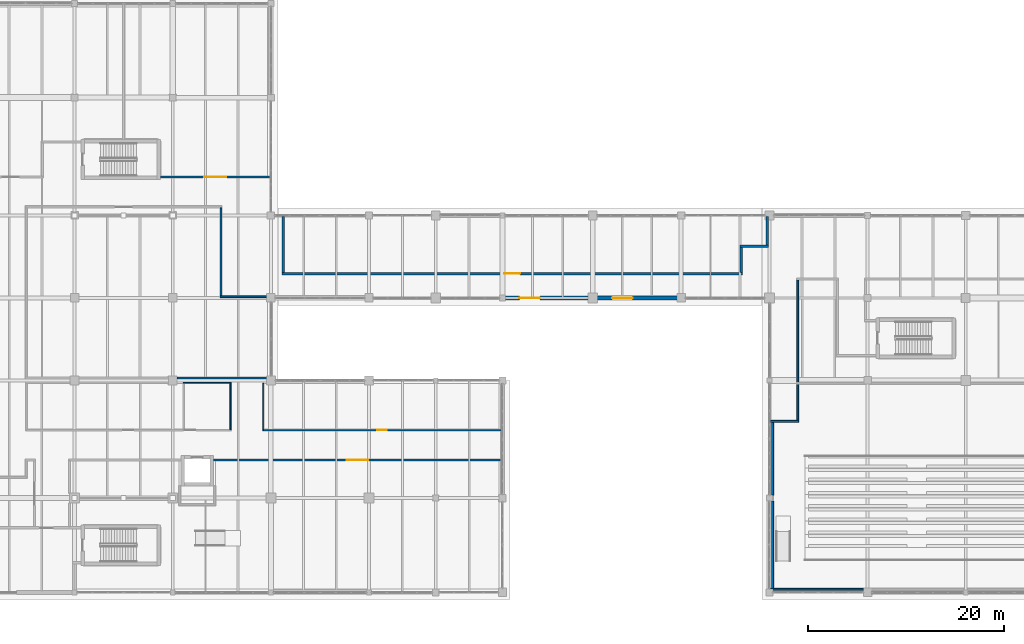
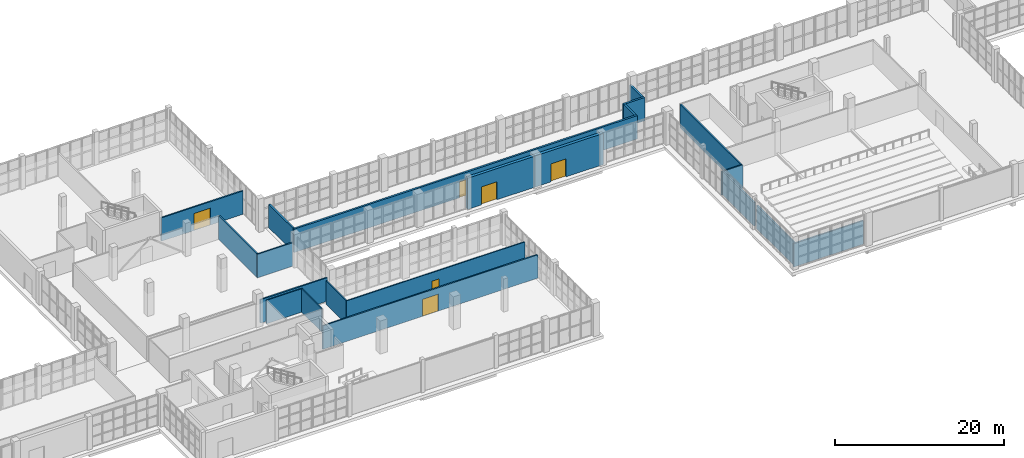
# One storey, part 103 of 121: 21 walls, 6 doors, 6 openings.
"""IFC4 building model written with IfcOpenShell, lengths in metres."""

from ifc_helpers import new_model, si_unit, direction, frame, frame_2d, origin, place, context, subcontext, project, spatial, rectangle, extrude, material, layer, layer_set, type_object, element, fill, save


model = new_model("IFC4")

# Units and contexts
model_context = context("Model", 3, precision=1e-05, world=origin(), true_north=direction((0.0, 1.0)))
body_context = subcontext(model_context, "Body", "Model", "MODEL_VIEW")
ifc_project = project(units=[si_unit("LENGTHUNIT", "METRE"), si_unit("AREAUNIT", "SQUARE_METRE"), si_unit("VOLUMEUNIT", "CUBIC_METRE"), si_unit("PLANEANGLEUNIT", "RADIAN"), si_unit("MASSUNIT", "GRAM", prefix="KILO")], contexts=[model_context])

# Site, building, storey
site_placement = place(None, origin())
site = spatial("IfcSite", under=ifc_project, at=site_placement, CompositionType="ELEMENT")
building_placement = place(site_placement, origin())
building = spatial("IfcBuilding", under=site, at=building_placement, Name="Zereglee Splitstone Museum", CompositionType="ELEMENT")
storey_placement = place(building_placement, origin())
storey = spatial("IfcBuildingStorey", under=building, at=storey_placement, Name="L00", CompositionType="ELEMENT", Elevation=0.0)

# Wall, opening, door
ifc_material_1 = material(Name="Concrete C40/50", Category="concrete")
ifc_layer_1 = layer(ifc_material_1, 0.39990234375)
ifc_layer_set_1 = layer_set([ifc_layer_1], Name="Concrete C40/50")
wall_type_1 = type_object("IfcWallType", Name="EW-02", PredefinedType="STANDARD", material=ifc_layer_set_1)
wall_1_placement = place(storey_placement, frame((228.6201171875, 30.0, 0.0), z_axis=(0.0, 0.0, 1.0), x_axis=(1.0, 0.0, 0.0)))
wall_1 = element("IfcWall", 1, at=wall_1_placement, inside=storey, type_object=wall_type_1, Name="Exterior Backup Wall RC4-EW-L00-0002", PredefinedType="STANDARD", context=body_context, shape_type="SweptSolid", body=[
    extrude(rectangle(XDim=9.559814453125, YDim=0.39990234375, at=frame_2d((4.77978515625, 0.0))), origin(), (0.0, 0.0, 1.0), 4.5),
])
opening_1_placement = place(wall_1_placement, frame((1.89990234375, 0.0, 0.0)))
opening_1 = element("IfcOpeningElement", 2, at=opening_1_placement, cuts=wall_1, Name="Opening ED-02", PredefinedType="OPENING", context=body_context, shape_type="SweptSolid", body=[
    extrude(rectangle(XDim=2.10009765625, YDim=2.60009765625, at=frame_2d((1.050048828125, 1.300048828125))), frame((0.0, 0.21484375, 0.0), z_axis=(0.0, -1.0, 0.0), x_axis=(1.0, 0.0, 0.0)), (0.0, 0.0, 1.0), 0.4296875),
])
ifc_material_2 = material(Name="Anodised bronze-clad thermally broken aluminium", Category="aluminium")
door_type_1 = type_object("IfcDoorType", Name="ED-02", OperationType="DOUBLE_DOOR_SINGLE_SWING", PredefinedType="DOOR", material=ifc_material_2)
door_1_placement = place(opening_1_placement, frame((2.10009765625, 0.0, 0.0), z_axis=(0.0, 0.0, 1.0), x_axis=(-1.0, 0.0, 0.0)))
door_1 = element("IfcDoor", 3, at=door_1_placement, inside=storey, type_object=door_type_1, Name="Ground Protected Exit Door ED-L00-02", OperationType="DOUBLE_DOOR_SINGLE_SWING", OverallHeight=2.60009765625, OverallWidth=2.10009765625, PredefinedType="DOOR", context=body_context, shape_type="SweptSolid", body=[
    extrude(rectangle(XDim=2.10009765625, YDim=2.60009765625, at=frame_2d((1.050048828125, 1.300048828125))), frame((0.0, 0.02490234375, 0.0), z_axis=(0.0, -1.0, 0.0), x_axis=(1.0, 0.0, 0.0)), (0.0, 0.0, 1.0), 0.050048828125),
])
fill(opening_1, door_1)

wall_2_placement = place(storey_placement, frame((237.820068359375, 30.0, 0.0), z_axis=(0.0, 0.0, 1.0), x_axis=(1.0, 0.0, 0.0)))
wall_2 = element("IfcWall", 4, at=wall_2_placement, inside=storey, type_object=wall_type_1, Name="Exterior Backup Wall RC4-EW-L00-0003", PredefinedType="STANDARD", context=body_context, shape_type="SweptSolid", body=[
    extrude(rectangle(XDim=9.35986328125, YDim=0.39990234375, at=frame_2d((4.679931640625, 0.0))), origin(), (0.0, 0.0, 1.0), 4.5),
])
opening_2_placement = place(wall_2_placement, frame((2.14990234375, 0.0, 0.0)))
opening_2 = element("IfcOpeningElement", 5, at=opening_2_placement, cuts=wall_2, Name="Opening ED-02", PredefinedType="OPENING", context=body_context, shape_type="SweptSolid", body=[
    extrude(rectangle(XDim=2.10009765625, YDim=2.60009765625, at=frame_2d((1.050048828125, 1.300048828125))), frame((0.0, 0.21484375, 0.0), z_axis=(0.0, -1.0, 0.0), x_axis=(1.0, 0.0, 0.0)), (0.0, 0.0, 1.0), 0.4296875),
])
door_2_placement = place(opening_2_placement, frame((2.10009765625, 0.0, 0.0), z_axis=(0.0, 0.0, 1.0), x_axis=(-1.0, 0.0, 0.0)))
door_2 = element("IfcDoor", 6, at=door_2_placement, inside=storey, type_object=door_type_1, Name="Ground Protected Exit Door ED-L00-03", OperationType="DOUBLE_DOOR_SINGLE_SWING", OverallHeight=2.60009765625, OverallWidth=2.10009765625, PredefinedType="DOOR", context=body_context, shape_type="SweptSolid", body=[
    extrude(rectangle(XDim=2.10009765625, YDim=2.60009765625, at=frame_2d((1.050048828125, 1.300048828125))), frame((0.0, 0.02490234375, 0.0), z_axis=(0.0, -1.0, 0.0), x_axis=(1.0, 0.0, 0.0)), (0.0, 0.0, 1.0), 0.050048828125),
])
fill(opening_2, door_2)

ifc_layer_2 = layer(ifc_material_1, 0.25)
ifc_layer_set_2 = layer_set([ifc_layer_2], Name="Concrete C40/50")
wall_type_2 = type_object("IfcWallType", Name="IW-03", PredefinedType="PARTITIONING", material=ifc_layer_set_2)
wall_3_placement = place(storey_placement, frame((206.35498046875, 32.47998046875, 0.0), z_axis=(0.0, 0.0, 1.0), x_axis=(1.0, 0.0, 0.0)))
wall_3 = element("IfcWall", 7, at=wall_3_placement, inside=storey, type_object=wall_type_2, Name="Interior Partition L00-0207 (Conservation Crate Staging Room)", PredefinedType="PARTITIONING", context=body_context, shape_type="SweptSolid", body=[
    extrude(rectangle(XDim=46.89013671875, YDim=0.25, at=frame_2d((23.445068359375, 0.0))), origin(), (0.0, 0.0, 1.0), 3.3798828125),
])
opening_3_placement = place(wall_3_placement, frame((22.64501953125, 0.0, 0.0)))
opening_3 = element("IfcOpeningElement", 8, at=opening_3_placement, cuts=wall_3, Name="Opening ID-05", PredefinedType="OPENING", context=body_context, shape_type="SweptSolid", body=[
    extrude(rectangle(XDim=1.60009765625, YDim=2.300048828125, at=frame_2d((0.800048828125, 1.14990234375))), frame((0.0, 0.139892578125, 0.0), z_axis=(0.0, -1.0, 0.0), x_axis=(1.0, 0.0, 0.0)), (0.0, 0.0, 1.0), 0.27978515625),
])
ifc_material_3 = material(Name="Fire-rated steel and Siberian larch leaf", Category="steel")
door_type_2 = type_object("IfcDoorType", Name="ID-05", OperationType="NOTDEFINED", PredefinedType="DOOR", material=ifc_material_3)
door_3_placement = place(opening_3_placement, origin())
door_3 = element("IfcDoor", 9, at=door_3_placement, inside=storey, type_object=door_type_2, Name="Interior Door L00-0050 (Conservation Crate Staging Room)", OperationType="DOUBLE_DOOR_SINGLE_SWING", OverallHeight=2.300048828125, OverallWidth=1.60009765625, PredefinedType="DOOR", context=body_context, shape_type="SweptSolid", body=[
    extrude(rectangle(XDim=1.60009765625, YDim=2.300048828125, at=frame_2d((0.800048828125, 1.14990234375))), frame((0.0, 0.02490234375, 0.0), z_axis=(0.0, -1.0, 0.0), x_axis=(1.0, 0.0, 0.0)), (0.0, 0.0, 1.0), 0.050048828125),
])
fill(opening_3, door_3)

# Walls
wall_4_placement = place(storey_placement, frame((252.9951171875, 35.280029296875, 0.0), z_axis=(0.0, 0.0, 1.0), x_axis=(1.0, 0.0, 0.0)))
element("IfcWall", 10, at=wall_4_placement, inside=storey, type_object=wall_type_2, Name="Interior Partition L00-0211 (Conservation Crate Staging Room)", PredefinedType="PARTITIONING", context=body_context, shape_type="SweptSolid", body=[
    extrude(rectangle(XDim=2.889892578125, YDim=0.25, at=frame_2d((1.44482421875, 0.0))), origin(), (0.0, 0.0, 1.0), 3.3798828125),
])
wall_5_placement = place(storey_placement, frame((206.47998046875, 32.60498046875, 0.0), z_axis=(0.0, 0.0, 1.0), x_axis=(0.0, 1.0, 0.0)))
element("IfcWall", 11, at=wall_5_placement, inside=storey, type_object=wall_type_2, Name="Interior Partition L00-0301 (Conservation Crate Staging Room)", PredefinedType="PARTITIONING", context=body_context, shape_type="SweptSolid", body=[
    extrude(rectangle(XDim=5.705078125, YDim=0.25, at=frame_2d((2.8525390625, 0.0))), origin(), (0.0, 0.0, 1.0), 3.3798828125),
])
wall_6_placement = place(storey_placement, frame((253.1201171875, 32.60498046875, 0.0), z_axis=(0.0, 0.0, 1.0), x_axis=(0.0, 1.0, 0.0)))
element("IfcWall", 12, at=wall_6_placement, inside=storey, type_object=wall_type_2, Name="Interior Partition L00-0302 (Conservation Crate Staging Room)", PredefinedType="PARTITIONING", context=body_context, shape_type="SweptSolid", body=[
    extrude(rectangle(XDim=2.550048828125, YDim=0.25, at=frame_2d((1.27490234375, 0.0))), origin(), (0.0, 0.0, 1.0), 3.3798828125),
])
wall_7_placement = place(storey_placement, frame((255.760009765625, 35.405029296875, 0.0), z_axis=(0.0, 0.0, 1.0), x_axis=(0.0, 1.0, 0.0)))
element("IfcWall", 13, at=wall_7_placement, inside=storey, type_object=wall_type_2, Name="Interior Partition L00-0303 (Conservation Crate Staging Room)", PredefinedType="PARTITIONING", context=body_context, shape_type="SweptSolid", body=[
    extrude(rectangle(XDim=2.905029296875, YDim=0.25, at=frame_2d((1.45263671875, 0.0))), origin(), (0.0, 0.0, 1.0), 3.3798828125),
])

# Wall, opening, door
ifc_material_4 = material(Name="Fire-rated gypsum board partition", Category="masonry")
ifc_layer_3 = layer(ifc_material_4, 0.139892578125)
ifc_layer_set_3 = layer_set([ifc_layer_3], Name="Fire-rated gypsum board partition")
wall_type_3 = type_object("IfcWallType", Name="IW-05", PredefinedType="PARTITIONING", material=ifc_layer_set_3)
wall_8_placement = place(storey_placement, frame((204.35009765625, 16.52001953125, 0.0), z_axis=(0.0, 0.0, 1.0), x_axis=(1.0, 0.0, 0.0)))
wall_8 = element("IfcWall", 14, at=wall_8_placement, inside=storey, type_object=wall_type_3, Name="Interior Partition L00-0178 (Botanical Tea Lounge)", PredefinedType="PARTITIONING", context=body_context, shape_type="SweptSolid", body=[
    extrude(rectangle(XDim=24.35986328125, YDim=0.139892578125, at=frame_2d((12.179931640625, 0.0))), origin(), (0.0, 0.0, 1.0), 3.3798828125),
])
opening_4_placement = place(wall_8_placement, frame((11.705078125, 0.0, 0.0)))
opening_4 = element("IfcOpeningElement", 15, at=opening_4_placement, cuts=wall_8, Name="Opening ID-11", PredefinedType="OPENING", context=body_context, shape_type="SweptSolid", body=[
    extrude(rectangle(XDim=0.949951171875, YDim=2.14990234375, at=frame_2d((0.47509765625, 1.074951171875))), frame((0.0, 0.0849609375, 0.0), z_axis=(0.0, -1.0, 0.0), x_axis=(1.0, 0.0, 0.0)), (0.0, 0.0, 1.0), 0.169677734375),
])
ifc_material_5 = material(Name="Siberian larch acoustic timber leaf in bronze-steel frame", Category="steel")
door_type_3 = type_object("IfcDoorType", Name="ID-11", OperationType="NOTDEFINED", PredefinedType="DOOR", material=ifc_material_5)
door_4_placement = place(opening_4_placement, origin())
door_4 = element("IfcDoor", 16, at=door_4_placement, inside=storey, type_object=door_type_3, Name="Interior Door L00-0046 (Botanical Tea Lounge)", OperationType="SINGLE_SWING_LEFT", OverallHeight=2.14990234375, OverallWidth=0.949951171875, PredefinedType="DOOR", context=body_context, shape_type="SweptSolid", body=[
    extrude(rectangle(XDim=0.949951171875, YDim=2.14990234375, at=frame_2d((0.47509765625, 1.074951171875))), frame((0.0, 0.02490234375, 0.0), z_axis=(0.0, -1.0, 0.0), x_axis=(1.0, 0.0, 0.0)), (0.0, 0.0, 1.0), 0.050048828125),
])
fill(opening_4, door_4)

# Walls
wall_9_placement = place(storey_placement, frame((204.419921875, 16.590087890625, 0.0), z_axis=(0.0, 0.0, 1.0), x_axis=(0.0, 1.0, 0.0)))
element("IfcWall", 17, at=wall_9_placement, inside=storey, type_object=wall_type_3, Name="Interior Partition L00-0300 (Botanical Tea Lounge)", PredefinedType="PARTITIONING", context=body_context, shape_type="SweptSolid", body=[
    extrude(rectangle(XDim=4.699951171875, YDim=0.139892578125, at=frame_2d((2.35009765625, 0.0))), origin(), (0.0, 0.0, 1.0), 3.3798828125),
])
ifc_material_6 = material(Name="Gypsum board on acoustic steel stud", Category="steel")
ifc_layer_4 = layer(ifc_material_6, 0.18994140625)
ifc_layer_set_4 = layer_set([ifc_layer_4], Name="Gypsum board on acoustic steel stud")
wall_type_4 = type_object("IfcWallType", Name="IW-02", PredefinedType="PARTITIONING", material=ifc_layer_set_4)
wall_10_placement = place(storey_placement, frame((256.090087890625, 0.320068359375, 0.0), z_axis=(0.0, 0.0, 1.0), x_axis=(1.0, 0.0, 0.0)))
element("IfcWall", 18, at=wall_10_placement, inside=storey, type_object=wall_type_4, Name="Interior Partition L00-0154 (Civic Lecture Auditorium)", PredefinedType="PARTITIONING", context=body_context, shape_type="SweptSolid", body=[
    extrude(rectangle(XDim=9.48486328125, YDim=0.18994140625, at=frame_2d((4.742431640625, 0.0))), origin(), (0.0, 0.0, 1.0), 3.3798828125),
])

# Wall, opening, door
wall_11_placement = place(storey_placement, frame((199.360107421875, 13.47998046875, 0.0), z_axis=(0.0, 0.0, 1.0), x_axis=(1.0, 0.0, 0.0)))
wall_11 = element("IfcWall", 19, at=wall_11_placement, inside=storey, type_object=wall_type_4, Name="Interior Partition L00-0169 (Steppe Ecology Gallery)", PredefinedType="PARTITIONING", context=body_context, shape_type="SweptSolid", body=[
    extrude(rectangle(XDim=29.349853515625, YDim=0.18994140625, at=frame_2d((14.6748046875, 0.0))), origin(), (0.0, 0.0, 1.0), 3.3798828125),
])
opening_5_placement = place(wall_11_placement, frame((13.574951171875, 0.0, 0.0)))
opening_5 = element("IfcOpeningElement", 20, at=opening_5_placement, cuts=wall_11, Name="Opening ID-01", PredefinedType="OPENING", context=body_context, shape_type="SweptSolid", body=[
    extrude(rectangle(XDim=2.199951171875, YDim=2.449951171875, at=frame_2d((1.10009765625, 1.22509765625))), frame((0.0, 0.10986328125, 0.0), z_axis=(0.0, -1.0, 0.0), x_axis=(1.0, 0.0, 0.0)), (0.0, 0.0, 1.0), 0.2197265625),
])
door_type_4 = type_object("IfcDoorType", Name="ID-01", OperationType="NOTDEFINED", PredefinedType="DOOR", material=ifc_material_3)
door_5_placement = place(opening_5_placement, frame((2.199951171875, 0.0, 0.0), z_axis=(0.0, 0.0, 1.0), x_axis=(-1.0, 0.0, 0.0)))
door_5 = element("IfcDoor", 21, at=door_5_placement, inside=storey, type_object=door_type_4, Name="Interior Door L00-0043 (Steppe Ecology Gallery)", OperationType="DOUBLE_DOOR_SINGLE_SWING", OverallHeight=2.449951171875, OverallWidth=2.199951171875, PredefinedType="DOOR", context=body_context, shape_type="SweptSolid", body=[
    extrude(rectangle(XDim=2.199951171875, YDim=2.449951171875, at=frame_2d((1.10009765625, 1.22509765625))), frame((0.0, 0.02490234375, 0.0), z_axis=(0.0, -1.0, 0.0), x_axis=(1.0, 0.0, 0.0)), (0.0, 0.0, 1.0), 0.050048828125),
])
fill(opening_5, door_5)

# Walls
wall_12_placement = place(storey_placement, frame((256.090087890625, 17.419921875, 0.0), z_axis=(0.0, 0.0, 1.0), x_axis=(1.0, 0.0, 0.0)))
element("IfcWall", 22, at=wall_12_placement, inside=storey, type_object=wall_type_4, Name="Interior Partition L00-0180 (Civic Lecture Auditorium)", PredefinedType="PARTITIONING", context=body_context, shape_type="SweptSolid", body=[
    extrude(rectangle(XDim=2.885009765625, YDim=0.18994140625, at=frame_2d((1.4423828125, 0.0))), origin(), (0.0, 0.0, 1.0), 3.3798828125),
])
wall_13_placement = place(storey_placement, frame((195.64990234375, 21.840087890625, 0.0), z_axis=(0.0, 0.0, 1.0), x_axis=(1.0, 0.0, 0.0)))
element("IfcWall", 23, at=wall_13_placement, inside=storey, type_object=wall_type_4, Name="Interior Partition L00-0195 (Museum Education Studio)", PredefinedType="PARTITIONING", context=body_context, shape_type="SweptSolid", body=[
    extrude(rectangle(XDim=9.22998046875, YDim=0.18994140625, at=frame_2d((4.614990234375, 0.0))), origin(), (0.0, 0.0, 1.0), 3.3798828125),
])
wall_14_placement = place(storey_placement, frame((200.02490234375, 30.1201171875, 0.0), z_axis=(0.0, 0.0, 1.0), x_axis=(1.0, 0.0, 0.0)))
element("IfcWall", 24, at=wall_14_placement, inside=storey, type_object=wall_type_4, Name="Interior Partition L00-0202 (Museum Education Studio)", PredefinedType="PARTITIONING", context=body_context, shape_type="SweptSolid", body=[
    extrude(rectangle(XDim=4.85498046875, YDim=0.18994140625, at=frame_2d((2.427490234375, 0.0))), origin(), (0.0, 0.0, 1.0), 3.3798828125),
])

# Wall, opening, door
wall_15_placement = place(storey_placement, frame((193.9599609375, 42.320068359375, 0.0), z_axis=(0.0, 0.0, 1.0), x_axis=(1.0, 0.0, 0.0)))
wall_15 = element("IfcWall", 25, at=wall_15_placement, inside=storey, type_object=wall_type_4, Name="Interior Partition L00-0220 (Botanical Diorama Gallery)", PredefinedType="PARTITIONING", context=body_context, shape_type="SweptSolid", body=[
    extrude(rectangle(XDim=11.150146484375, YDim=0.18994140625, at=frame_2d((5.5751953125, 0.0))), origin(), (0.0, 0.0, 1.0), 3.3798828125),
])
opening_6_placement = place(wall_15_placement, frame((4.47509765625, 0.0, 0.0)))
opening_6 = element("IfcOpeningElement", 26, at=opening_6_placement, cuts=wall_15, Name="Opening ID-01", PredefinedType="OPENING", context=body_context, shape_type="SweptSolid", body=[
    extrude(rectangle(XDim=2.199951171875, YDim=2.449951171875, at=frame_2d((1.10009765625, 1.22509765625))), frame((0.0, 0.10986328125, 0.0), z_axis=(0.0, -1.0, 0.0), x_axis=(1.0, 0.0, 0.0)), (0.0, 0.0, 1.0), 0.2197265625),
])
door_6_placement = place(opening_6_placement, origin())
door_6 = element("IfcDoor", 27, at=door_6_placement, inside=storey, type_object=door_type_4, Name="Interior Door L00-0049 (Botanical Diorama Gallery)", OperationType="DOUBLE_DOOR_SINGLE_SWING", OverallHeight=2.449951171875, OverallWidth=2.199951171875, PredefinedType="DOOR", context=body_context, shape_type="SweptSolid", body=[
    extrude(rectangle(XDim=2.199951171875, YDim=2.449951171875, at=frame_2d((1.10009765625, 1.22509765625))), frame((0.0, 0.02490234375, 0.0), z_axis=(0.0, -1.0, 0.0), x_axis=(1.0, 0.0, 0.0)), (0.0, 0.0, 1.0), 0.050048828125),
])
fill(opening_6, door_6)

# Walls
wall_16_placement = place(storey_placement, frame((200.1201171875, 30.215087890625, 0.0), z_axis=(0.0, 0.0, 1.0), x_axis=(0.0, 1.0, 0.0)))
element("IfcWall", 28, at=wall_16_placement, inside=storey, type_object=wall_type_4, Name="Interior Partition L00-0298 (Museum Education Studio)", PredefinedType="PARTITIONING", context=body_context, shape_type="SweptSolid", body=[
    extrude(rectangle(XDim=8.969970703125, YDim=0.18994140625, at=frame_2d((4.48486328125, 0.0))), origin(), (0.0, 0.0, 1.0), 3.3798828125),
])
wall_17_placement = place(storey_placement, frame((256.320068359375, 0.4150390625, 0.0), z_axis=(0.0, 0.0, 1.0), x_axis=(0.0, 1.0, 0.0)))
element("IfcWall", 29, at=wall_17_placement, inside=storey, type_object=wall_type_4, Name="Interior Partition L00-0304 (Civic Lecture Auditorium)", PredefinedType="PARTITIONING", context=body_context, shape_type="SweptSolid", body=[
    extrude(rectangle(XDim=8.885009765625, YDim=0.18994140625, at=frame_2d((4.4423828125, 0.0))), origin(), (0.0, 0.0, 1.0), 3.3798828125),
])
wall_18_placement = place(storey_placement, frame((256.320068359375, 9.89990234375, 0.0), z_axis=(0.0, 0.0, 1.0), x_axis=(0.0, 1.0, 0.0)))
element("IfcWall", 30, at=wall_18_placement, inside=storey, type_object=wall_type_4, Name="Interior Partition L00-0305 (Civic Lecture Auditorium)", PredefinedType="PARTITIONING", context=body_context, shape_type="SweptSolid", body=[
    extrude(rectangle(XDim=7.425048828125, YDim=0.18994140625, at=frame_2d((3.71240234375, 0.0))), origin(), (0.0, 0.0, 1.0), 3.3798828125),
])
wall_19_placement = place(storey_placement, frame((258.8798828125, 17.514892578125, 0.0), z_axis=(0.0, 0.0, 1.0), x_axis=(0.0, 1.0, 0.0)))
element("IfcWall", 31, at=wall_19_placement, inside=storey, type_object=wall_type_4, Name="Interior Partition L00-0306 (Auditorium Entrance Foyer)", PredefinedType="PARTITIONING", context=body_context, shape_type="SweptSolid", body=[
    extrude(rectangle(XDim=14.31005859375, YDim=0.18994140625, at=frame_2d((7.155029296875, 0.0))), origin(), (0.0, 0.0, 1.0), 3.3798828125),
])
ifc_material_7 = material(Name="Moisture-resistant tile and gypsum partition", Category="masonry")
ifc_layer_5 = layer(ifc_material_7, 0.1201171875)
ifc_layer_set_5 = layer_set([ifc_layer_5], Name="Moisture-resistant tile and gypsum partition")
wall_type_5 = type_object("IfcWallType", Name="IW-06", PredefinedType="PARTITIONING", material=ifc_layer_set_5)
wall_20_placement = place(storey_placement, frame((196.25, 21.340087890625, 0.0), z_axis=(0.0, 0.0, 1.0), x_axis=(1.0, 0.0, 0.0)))
element("IfcWall", 32, at=wall_20_placement, inside=storey, type_object=wall_type_5, Name="Interior Partition L00-0190 (Public Washroom)", PredefinedType="PARTITIONING", context=body_context, shape_type="SweptSolid", body=[
    extrude(rectangle(XDim=4.889892578125, YDim=0.1201171875, at=frame_2d((2.44482421875, 0.0))), origin(), (0.0, 0.0, 1.0), 3.3798828125),
])
wall_21_placement = place(storey_placement, frame((201.080078125, 16.590087890625, 0.0), z_axis=(0.0, 0.0, 1.0), x_axis=(0.0, 1.0, 0.0)))
element("IfcWall", 33, at=wall_21_placement, inside=storey, type_object=wall_type_5, Name="Interior Partition L00-0299 (Public Washroom)", PredefinedType="PARTITIONING", context=body_context, shape_type="SweptSolid", body=[
    extrude(rectangle(XDim=4.68994140625, YDim=0.1201171875, at=frame_2d((2.344970703125, 0.0))), origin(), (0.0, 0.0, 1.0), 3.3798828125),
])

save(model, "model.ifc")
